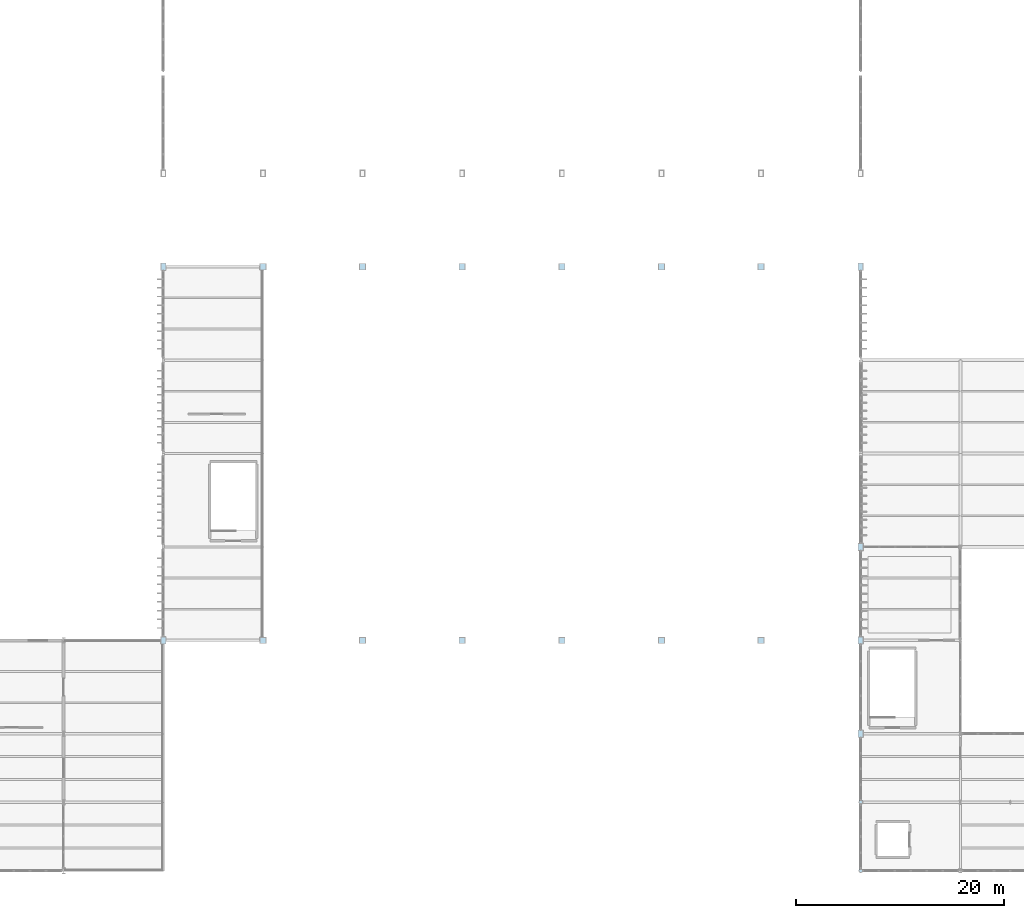
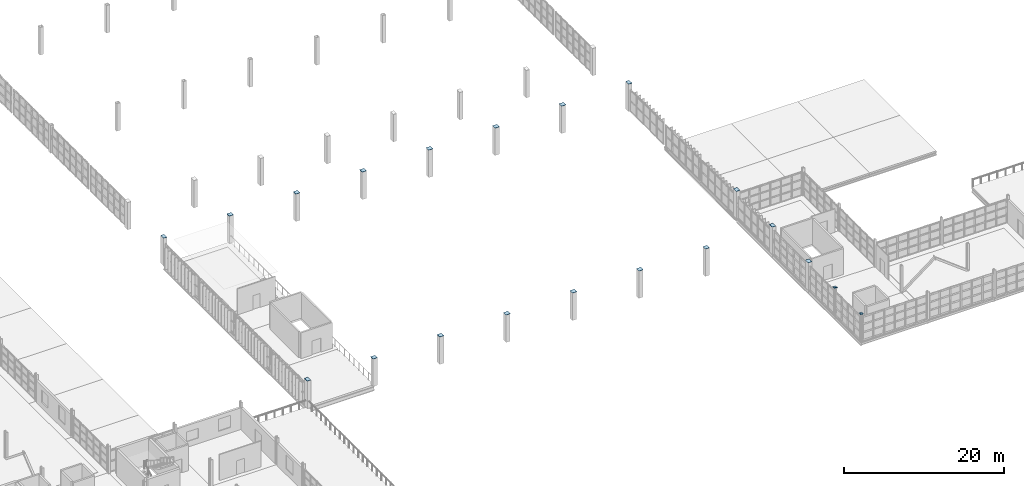
# One storey, part 64 of 82: 20 plates.
"""IFC4 building model written with IfcOpenShell, lengths in metres."""

from ifc_helpers import new_model, si_unit, direction, frame, origin, origin_2d, place, context, subcontext, project, spatial, rectangle, extrude, material, layer, layer_set, type_object, element, save


model = new_model("IFC4")

# Units and contexts
model_context = context("Model", 3, precision=1e-05, world=origin(), true_north=direction((0.0, 1.0)))
body_context = subcontext(model_context, "Body", "Model", "MODEL_VIEW")
ifc_project = project(units=[si_unit("LENGTHUNIT", "METRE"), si_unit("AREAUNIT", "SQUARE_METRE"), si_unit("VOLUMEUNIT", "CUBIC_METRE"), si_unit("PLANEANGLEUNIT", "RADIAN"), si_unit("MASSUNIT", "GRAM", prefix="KILO")], contexts=[model_context])

# Site, building, storey
site_placement = place(None, origin())
site = spatial("IfcSite", under=ifc_project, at=site_placement, CompositionType="ELEMENT")
building_placement = place(site_placement, origin())
building = spatial("IfcBuilding", under=site, at=building_placement, Name="Zarnetskaya Central Station", CompositionType="ELEMENT")
storey_placement = place(building_placement, frame((0.0, 0.0, 10.199951171875)))
storey = spatial("IfcBuildingStorey", under=building, at=storey_placement, Name="L02", CompositionType="ELEMENT", Elevation=10.199951171875)

# Plates
ifc_material = material(Name="Steel S355", Category="steel")
ifc_layer_1 = layer(ifc_material, 0.02392578125, Name="Steel S355", Category="steel")
ifc_layer_set_1 = layer_set([ifc_layer_1], Name="Steel S355")
plate_type_1 = type_object("IfcPlateType", Name="PL-COL-CAP-EXT", PredefinedType="USERDEFINED", material=ifc_layer_set_1)
for number, where, z_axis, x_axis, name in (
    (1, (57.60009765625, 22.199951171875, 4.176025390625), (0.0, 0.0, 1.0), (1.0, 0.0, 0.0), "Hollow column sealed end-cap plate 40"),
    (2, (57.60009765625, 58.199951171875, 4.176025390625), (0.0, 0.0, 1.0), (1.0, 0.0, 0.0), "Hollow column sealed end-cap plate 44"),
):
    element("IfcPlate", number, at=place(storey_placement, frame(where, z_axis=z_axis, x_axis=x_axis)), inside=storey, type_object=plate_type_1, Name=name, ObjectType="END CAP PLATE", PredefinedType="USERDEFINED", context=body_context, shape_type="SweptSolid", body=[
        extrude(rectangle(XDim=0.52001953125, YDim=0.719970703125, at=origin_2d()), origin(), (0.0, 0.0, 1.0), 0.02392578125),
    ])
for number, where, z_axis, x_axis, name in (
    (3, (124.800048828125, 0.0, 4.176025390625), (0.0, 0.0, 1.0), (1.0, 0.0, 0.0), "Hollow column sealed end-cap plate 106"),
    (4, (124.800048828125, 6.60009765625, 4.176025390625), (0.0, 0.0, 1.0), (1.0, 0.0, 0.0), "Hollow column sealed end-cap plate 107"),
):
    element("IfcPlate", number, at=place(storey_placement, frame(where, z_axis=z_axis, x_axis=x_axis)), inside=storey, type_object=plate_type_1, Name=name, ObjectType="END CAP PLATE", PredefinedType="USERDEFINED", context=body_context, shape_type="SweptSolid", body=[
        extrude(rectangle(XDim=0.37548828125, YDim=0.37548828125, at=origin_2d()), origin(), (0.0, 0.0, 1.0), 0.02392578125),
    ])
for number, where, z_axis, x_axis, name in (
    (5, (124.800048828125, 13.199951171875, 4.176025390625), (0.0, 0.0, 1.0), (1.0, 0.0, 0.0), "Hollow column sealed end-cap plate 108"),
    (6, (124.800048828125, 22.199951171875, 4.176025390625), (0.0, 0.0, 1.0), (1.0, 0.0, 0.0), "Hollow column sealed end-cap plate 109"),
    (7, (124.800048828125, 31.199951171875, 4.176025390625), (0.0, 0.0, 1.0), (1.0, 0.0, 0.0), "Hollow column sealed end-cap plate 110"),
    (8, (124.800048828125, 58.199951171875, 4.176025390625), (0.0, 0.0, 1.0), (1.0, 0.0, 0.0), "Hollow column sealed end-cap plate 113"),
):
    element("IfcPlate", number, at=place(storey_placement, frame(where, z_axis=z_axis, x_axis=x_axis)), inside=storey, type_object=plate_type_1, Name=name, ObjectType="END CAP PLATE", PredefinedType="USERDEFINED", context=body_context, shape_type="SweptSolid", body=[
        extrude(rectangle(XDim=0.52001953125, YDim=0.719970703125, at=origin_2d()), origin(), (0.0, 0.0, 1.0), 0.02392578125),
    ])
ifc_layer_2 = layer(ifc_material, 0.02392578125, Name="Steel S355", Category="steel")
ifc_layer_set_2 = layer_set([ifc_layer_2], Name="Steel S355")
plate_type_2 = type_object("IfcPlateType", Name="PL-COL-CAP-INT", PredefinedType="USERDEFINED", material=ifc_layer_set_2)
for number, where, z_axis, x_axis, name in (
    (9, (67.199951171875, 22.199951171875, 4.176025390625), (0.0, 0.0, 1.0), (1.0, 0.0, 0.0), "Hollow column sealed end-cap plate 49"),
    (10, (67.199951171875, 58.199951171875, 4.176025390625), (0.0, 0.0, 1.0), (1.0, 0.0, 0.0), "Hollow column sealed end-cap plate 53"),
    (11, (76.800048828125, 22.199951171875, 4.176025390625), (0.0, 0.0, 1.0), (1.0, 0.0, 0.0), "Hollow column sealed end-cap plate 61"),
    (12, (76.800048828125, 58.199951171875, 4.176025390625), (0.0, 0.0, 1.0), (1.0, 0.0, 0.0), "Hollow column sealed end-cap plate 62"),
    (13, (86.39990234375, 22.199951171875, 4.176025390625), (0.0, 0.0, 1.0), (1.0, 0.0, 0.0), "Hollow column sealed end-cap plate 70"),
    (14, (86.39990234375, 58.199951171875, 4.176025390625), (0.0, 0.0, 1.0), (1.0, 0.0, 0.0), "Hollow column sealed end-cap plate 71"),
    (15, (96.0, 22.199951171875, 4.176025390625), (0.0, 0.0, 1.0), (1.0, 0.0, 0.0), "Hollow column sealed end-cap plate 79"),
    (16, (96.0, 58.199951171875, 4.176025390625), (0.0, 0.0, 1.0), (1.0, 0.0, 0.0), "Hollow column sealed end-cap plate 80"),
    (17, (105.60009765625, 22.199951171875, 4.176025390625), (0.0, 0.0, 1.0), (1.0, 0.0, 0.0), "Hollow column sealed end-cap plate 88"),
    (18, (105.60009765625, 58.199951171875, 4.176025390625), (0.0, 0.0, 1.0), (1.0, 0.0, 0.0), "Hollow column sealed end-cap plate 89"),
    (19, (115.199951171875, 22.199951171875, 4.176025390625), (0.0, 0.0, 1.0), (1.0, 0.0, 0.0), "Hollow column sealed end-cap plate 97"),
    (20, (115.199951171875, 58.199951171875, 4.176025390625), (0.0, 0.0, 1.0), (1.0, 0.0, 0.0), "Hollow column sealed end-cap plate 101"),
):
    element("IfcPlate", number, at=place(storey_placement, frame(where, z_axis=z_axis, x_axis=x_axis)), inside=storey, type_object=plate_type_2, Name=name, ObjectType="END CAP PLATE", PredefinedType="USERDEFINED", context=body_context, shape_type="SweptSolid", body=[
        extrude(rectangle(XDim=0.6201171875, YDim=0.6201171875, at=origin_2d()), origin(), (0.0, 0.0, 1.0), 0.02392578125),
    ])

save(model, "model.ifc")
